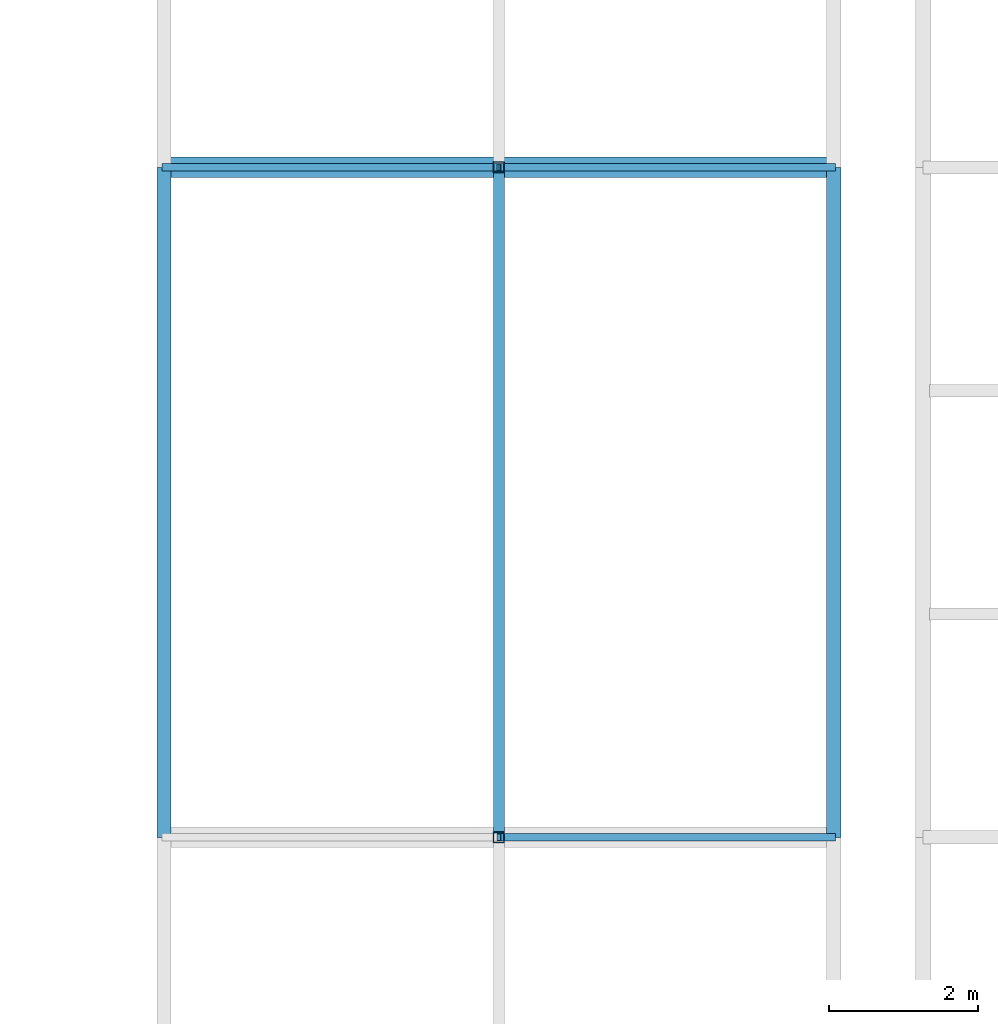
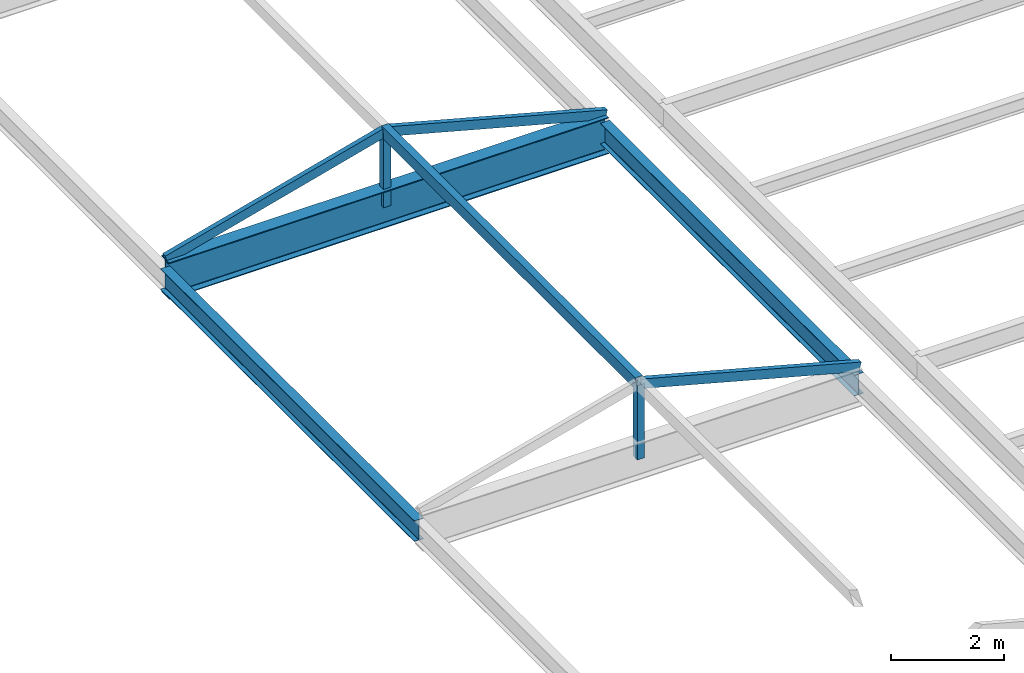
# One storey, part 47 of 140: 5 members, 4 beams.
"""IFC4 building model written with IfcOpenShell, lengths in metres."""

from ifc_helpers import new_model, si_unit, direction, frame, origin, origin_2d, place, context, subcontext, project, spatial, hollow_rectangle, i_section, extrude, material, material_profile, profile_set, type_object, element, save


model = new_model("IFC4")

# Units and contexts
model_context = context("Model", 3, precision=1e-05, world=origin(), true_north=direction((0.0, 1.0)))
body_context = subcontext(model_context, "Body", "Model", "MODEL_VIEW")
ifc_project = project(units=[si_unit("LENGTHUNIT", "METRE"), si_unit("AREAUNIT", "SQUARE_METRE"), si_unit("VOLUMEUNIT", "CUBIC_METRE"), si_unit("PLANEANGLEUNIT", "RADIAN"), si_unit("MASSUNIT", "GRAM", prefix="KILO"), si_unit("THERMODYNAMICTEMPERATUREUNIT", "KELVIN"), si_unit("POWERUNIT", "WATT")], contexts=[model_context])

# Site, building, storey
site_placement = place(None, origin())
site = spatial("IfcSite", under=ifc_project, at=site_placement, CompositionType="ELEMENT")
building_placement = place(site_placement, origin())
building = spatial("IfcBuilding", under=site, at=building_placement, Name="Tallowbark Science Centre", CompositionType="ELEMENT")
storey_placement = place(building_placement, frame((0.0, 0.0, 9.89990234375)))
storey = spatial("IfcBuildingStorey", under=building, at=storey_placement, Name="L02", CompositionType="ELEMENT", Elevation=9.89990234375)

# Beam
ifc_material_1 = material(Name="Structural Steel Grade 300PLUS (300 MPa)", Category="steel")
ifc_material_profile_1 = material_profile(ifc_material_1, i_section(OverallWidth=0.27490234375, OverallDepth=0.7919921875, WebThickness=0.011962890625, FlangeThickness=0.02001953125, FilletRadius=0.013916015625, at=origin_2d()), Name="800WB146")
ifc_profile_set_1 = profile_set([ifc_material_profile_1], Name="Structural Steel Grade 300PLUS (300 MPa)")
beam_type_1 = type_object("IfcBeamType", Name="BM-WB800", PredefinedType="BEAM", material=ifc_profile_set_1)
beam_1_placement = place(storey_placement, frame((45.0, 90.0, -0.39990234375), z_axis=(1.0, 0.0, 0.0), x_axis=(0.0, 1.0, 0.0)))
element("IfcBeam", 1, at=beam_1_placement, inside=storey, type_object=beam_type_1, Name="Passage Skylight Tie Beam 11", PredefinedType="BEAM", context=body_context, shape_type="SweptSolid", body=[
    extrude(i_section(OverallWidth=0.27490234375, OverallDepth=0.7919921875, WebThickness=0.011962890625, FlangeThickness=0.02001953125, FilletRadius=0.013916015625, at=origin_2d()), origin(), (0.0, 0.0, 1.0), 9.0),
])

# Members
ifc_material_2 = material(Name="Structural Steel Grade C350L0 (350 MPa)", Category="steel")
ifc_material_profile_2 = material_profile(ifc_material_2, hollow_rectangle(XDim=0.10009765625, YDim=0.199951171875, WallThickness=0.006103515625, at=origin_2d()), Name="200x100x6.0RHS")
ifc_profile_set_2 = profile_set([ifc_material_profile_2], Name="Structural Steel Grade C350L0 (350 MPa)")
member_type_1 = type_object("IfcMemberType", Name="RFT-200RHS", PredefinedType="RAFTER", material=ifc_profile_set_2)
for number, where, z_axis, x_axis, name in (
    (2, (49.5, 81.0, 1.205810546875), (0.965923723713, 0.0, -0.258826891896), (0.0, 1.0, 0.0), "Passage Skylight East Rafter 10"),
    (3, (45.0, 90.0, 0.0), (0.965923723713, 0.0, 0.258826891896), (0.0, 1.0, 0.0), "Passage Skylight West Rafter 11"),
    (4, (49.5, 90.0, 1.205810546875), (0.965923723713, 0.0, -0.258826891896), (0.0, 1.0, 0.0), "Passage Skylight East Rafter 11"),
):
    element("IfcMember", number, at=place(storey_placement, frame(where, z_axis=z_axis, x_axis=x_axis)), inside=storey, type_object=member_type_1, Name=name, PredefinedType="RAFTER", context=body_context, shape_type="SweptSolid", body=[
        extrude(hollow_rectangle(XDim=0.10009765625, YDim=0.199951171875, WallThickness=0.006103515625, at=origin_2d()), origin(), (0.0, 0.0, 1.0), 4.65869140625),
    ])

# Beams
ifc_material_3 = material(Name="White Architectural Painted Steel Grade C350L0 (350 MPa)", Category="steel")
ifc_material_profile_3 = material_profile(ifc_material_3, hollow_rectangle(XDim=0.14990234375, YDim=0.25, WallThickness=0.009033203125, at=origin_2d()), Name="250x150x9.0RHS")
ifc_profile_set_3 = profile_set([ifc_material_profile_3], Name="White Architectural Painted Steel Grade C350L0 (350 MPa)")
beam_type_2 = type_object("IfcBeamType", Name="SPN-RHS250", PredefinedType="SPANDREL", material=ifc_profile_set_3)
beam_2_placement = place(storey_placement, frame((49.5, 81.0, 1.205810546875), z_axis=(0.0, 1.0, 0.0), x_axis=(-1.0, 0.0, 0.0)))
element("IfcBeam", 5, at=beam_2_placement, inside=storey, type_object=beam_type_2, Name="Passage Skylight Ridge Beam 10", PredefinedType="SPANDREL", context=body_context, shape_type="SweptSolid", body=[
    extrude(hollow_rectangle(XDim=0.14990234375, YDim=0.25, WallThickness=0.009033203125, at=origin_2d()), origin(), (0.0, 0.0, 1.0), 9.0),
])
ifc_material_profile_4 = material_profile(ifc_material_1, i_section(OverallWidth=0.18994140625, OverallDepth=0.453857421875, WebThickness=0.008544921875, FlangeThickness=0.0126953125, FilletRadius=0.011474609375, at=origin_2d()), Name="460UB67.1")
ifc_profile_set_4 = profile_set([ifc_material_profile_4], Name="Structural Steel Grade 300PLUS (300 MPa)")
beam_type_3 = type_object("IfcBeamType", Name="SPN-UB460", PredefinedType="SPANDREL", material=ifc_profile_set_4)
for number, where, z_axis, x_axis, name in (
    (6, (45.0, 81.0, -0.40673828125), (0.0, 1.0, 0.0), (-1.0, 0.0, 0.0), "Primary Girder GRDY-L02-450-810-900"),
    (7, (54.0, 81.0, -0.40673828125), (0.0, 1.0, 0.0), (-1.0, 0.0, 0.0), "Primary Girder GRDY-L02-540-810-900"),
):
    element("IfcBeam", number, at=place(storey_placement, frame(where, z_axis=z_axis, x_axis=x_axis)), inside=storey, type_object=beam_type_3, Name=name, PredefinedType="SPANDREL", context=body_context, shape_type="SweptSolid", body=[
        extrude(i_section(OverallWidth=0.18994140625, OverallDepth=0.453857421875, WebThickness=0.008544921875, FlangeThickness=0.0126953125, FilletRadius=0.011474609375, at=origin_2d()), origin(), (0.0, 0.0, 1.0), 9.0),
    ])

# Members
ifc_material_profile_5 = material_profile(ifc_material_2, hollow_rectangle(XDim=0.14990234375, YDim=0.14990234375, WallThickness=0.006103515625, at=origin_2d()), Name="150x150x6.0SHS")
ifc_profile_set_5 = profile_set([ifc_material_profile_5], Name="Structural Steel Grade C350L0 (350 MPa)")
member_type_2 = type_object("IfcMemberType", Name="STR-PAS-KP", PredefinedType="POST", material=ifc_profile_set_5)
for number, where, z_axis, x_axis, name in (
    (8, (49.5, 81.0, -0.39990234375), (0.0, 0.0, 1.0), (1.0, 0.0, 0.0), "Passage Skylight Truss King Post 10"),
    (9, (49.5, 90.0, -0.39990234375), (0.0, 0.0, 1.0), (1.0, 0.0, 0.0), "Passage Skylight Truss King Post 11"),
):
    element("IfcMember", number, at=place(storey_placement, frame(where, z_axis=z_axis, x_axis=x_axis)), inside=storey, type_object=member_type_2, Name=name, PredefinedType="POST", context=body_context, shape_type="SweptSolid", body=[
        extrude(hollow_rectangle(XDim=0.14990234375, YDim=0.14990234375, WallThickness=0.006103515625, at=origin_2d()), origin(), (0.0, 0.0, 1.0), 1.605712890625),
    ])

save(model, "model.ifc")
